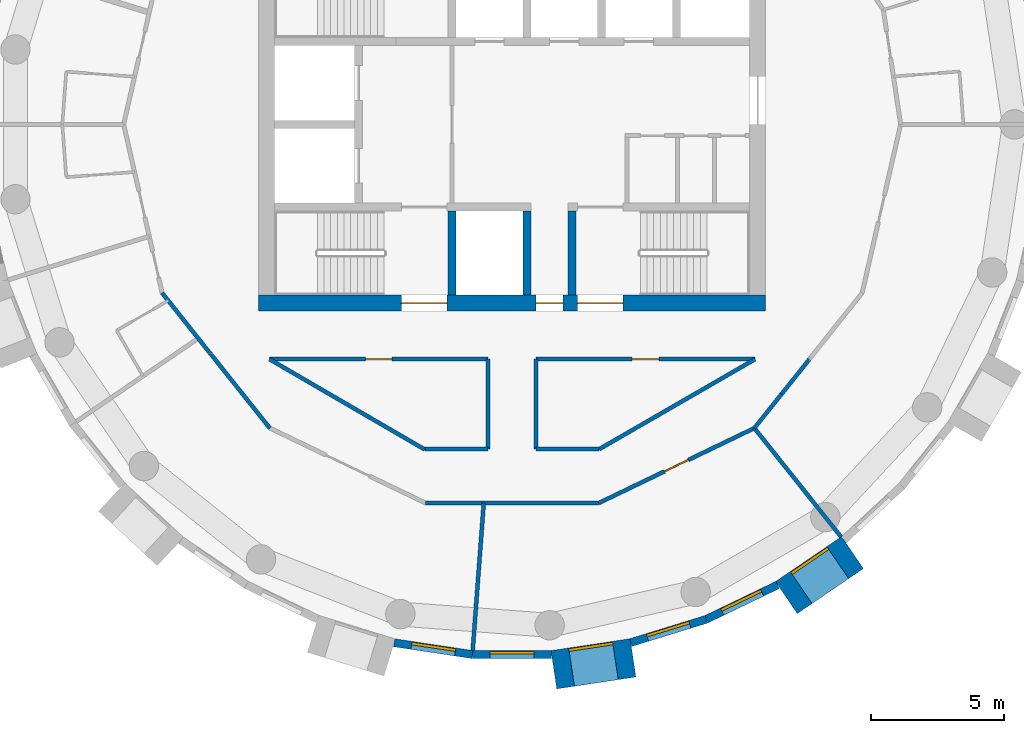
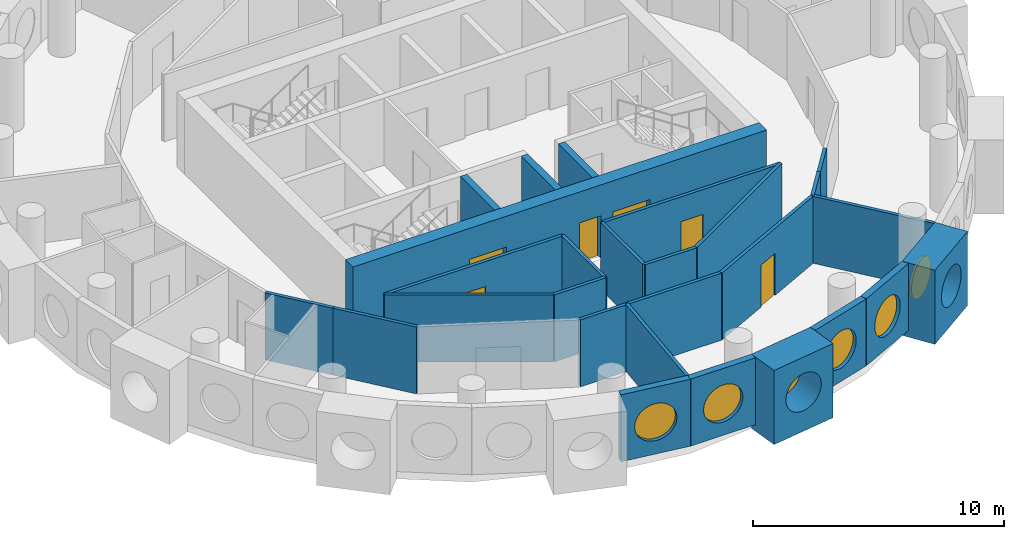
# One storey, part 3 of 11: 26 walls, 6 doors, 6 windows, 12 openings.
"""IFC4 building model written with IfcOpenShell, lengths in metres."""

from ifc_helpers import new_model, si_unit, direction, frame, frame_2d, origin, origin_2d, place, context, subcontext, project, spatial, rectangle, circle, extrude, material, layer, layer_set, type_object, element, fill, save


model = new_model("IFC4")

# Units and contexts
model_context = context("Model", 3, precision=1e-05, world=origin(), true_north=direction((0.0, 1.0)))
body_context = subcontext(model_context, "Body", "Model", "MODEL_VIEW")
ifc_project = project(units=[si_unit("LENGTHUNIT", "METRE"), si_unit("AREAUNIT", "SQUARE_METRE"), si_unit("VOLUMEUNIT", "CUBIC_METRE"), si_unit("PLANEANGLEUNIT", "RADIAN"), si_unit("MASSUNIT", "GRAM", prefix="KILO")], contexts=[model_context])

# Site, building, storey
site_placement = place(None, origin())
site = spatial("IfcSite", under=ifc_project, at=site_placement, CompositionType="ELEMENT")
building_placement = place(site_placement, origin())
building = spatial("IfcBuilding", under=site, at=building_placement, Name="Tracery Tower", CompositionType="ELEMENT")
storey_placement = place(building_placement, frame((0.0, 0.0, 238.199951171875)))
storey = spatial("IfcBuildingStorey", under=building, at=storey_placement, Name="L61", CompositionType="ELEMENT", Elevation=238.199951171875)

# Wall, openings, doors
ifc_material_1 = material(Name="Concrete C40/50", Category="concrete")
ifc_layer_1 = layer(ifc_material_1, 0.60009765625)
ifc_layer_set_1 = layer_set([ifc_layer_1], Name="Core wall 600 C40")
wall_type_1 = type_object("IfcWallType", Name="Core wall 600 C40", PredefinedType="SOLIDWALL", material=ifc_layer_set_1)
wall_1_placement = place(storey_placement, frame((-9.5, -6.699951171875, 0.0), z_axis=(0.0, 0.0, 1.0), x_axis=(1.0, 0.0, 0.0)))
wall_1 = element("IfcWall", 1, at=wall_1_placement, inside=storey, type_object=wall_type_1, Name="L61 outer S", PredefinedType="SOLIDWALL", context=body_context, shape_type="SweptSolid", body=[
    extrude(rectangle(XDim=19.0, YDim=0.60009765625, at=frame_2d((9.5, 0.0))), origin(), (0.0, 0.0, 1.0), 3.60009765625),
])
opening_1_placement = place(wall_1_placement, frame((10.39990234375, 0.0, 0.0)))
opening_1 = element("IfcOpeningElement", 2, at=opening_1_placement, cuts=wall_1, Name="Opening KD16", PredefinedType="OPENING", context=body_context, shape_type="SweptSolid", body=[
    extrude(rectangle(XDim=1.0, YDim=2.10009765625, at=frame_2d((0.5, 1.050048828125))), frame((0.0, 0.300048828125, 0.0), z_axis=(0.0, -1.0, 0.0), x_axis=(1.0, 0.0, 0.0)), (0.0, 0.0, 1.0), 0.60009765625),
])
opening_2_placement = place(wall_1_placement, frame((5.35009765625, 0.0, 0.0)))
opening_2 = element("IfcOpeningElement", 3, at=opening_2_placement, cuts=wall_1, Name="Opening KD3", PredefinedType="OPENING", context=body_context, shape_type="SweptSolid", body=[
    extrude(rectangle(XDim=1.699951171875, YDim=2.10009765625, at=frame_2d((0.85009765625, 1.050048828125))), frame((0.0, 0.300048828125, 0.0), z_axis=(0.0, -1.0, 0.0), x_axis=(1.0, 0.0, 0.0)), (0.0, 0.0, 1.0), 0.60009765625),
])
opening_3_placement = place(wall_1_placement, frame((11.949951171875, 0.0, 0.0)))
opening_3 = element("IfcOpeningElement", 4, at=opening_3_placement, cuts=wall_1, Name="Opening KD3", PredefinedType="OPENING", context=body_context, shape_type="SweptSolid", body=[
    extrude(rectangle(XDim=1.699951171875, YDim=2.10009765625, at=frame_2d((0.85009765625, 1.050048828125))), frame((0.0, 0.300048828125, 0.0), z_axis=(0.0, -1.0, 0.0), x_axis=(1.0, 0.0, 0.0)), (0.0, 0.0, 1.0), 0.60009765625),
])
ifc_material_2 = material(Name="Steel fire door", Category="steel")
door_type_1 = type_object("IfcDoorType", Name="Core exit door 1000", OperationType="NOTDEFINED", PredefinedType="DOOR", material=ifc_material_2)
door_1_placement = place(opening_1_placement, origin())
door_1 = element("IfcDoor", 5, at=door_1_placement, inside=storey, type_object=door_type_1, Name="Core exit door", OperationType="SINGLE_SWING_LEFT", OverallHeight=2.10009765625, OverallWidth=1.0, PredefinedType="DOOR", context=body_context, shape_type="SweptSolid", body=[
    extrude(rectangle(XDim=1.0, YDim=2.10009765625, at=frame_2d((0.5, 1.050048828125))), frame((0.0, 0.02490234375, 0.0), z_axis=(0.0, -1.0, 0.0), x_axis=(1.0, 0.0, 0.0)), (0.0, 0.0, 1.0), 0.050048828125),
])
fill(opening_1, door_1)
ifc_material_3 = material(Name="Steel fire door", Category="steel")
door_type_2 = type_object("IfcDoorType", Name="Core stair door 1700 double", OperationType="NOTDEFINED", PredefinedType="DOOR", material=ifc_material_3)
door_2_placement = place(opening_2_placement, origin())
door_2 = element("IfcDoor", 6, at=door_2_placement, inside=storey, type_object=door_type_2, Name="Stair door ST1 exit", OperationType="DOUBLE_DOOR_SINGLE_SWING", OverallHeight=2.10009765625, OverallWidth=1.699951171875, PredefinedType="DOOR", context=body_context, shape_type="SweptSolid", body=[
    extrude(rectangle(XDim=1.699951171875, YDim=2.10009765625, at=frame_2d((0.85009765625, 1.050048828125))), frame((0.0, 0.02490234375, 0.0), z_axis=(0.0, -1.0, 0.0), x_axis=(1.0, 0.0, 0.0)), (0.0, 0.0, 1.0), 0.050048828125),
])
fill(opening_2, door_2)
door_3_placement = place(opening_3_placement, origin())
door_3 = element("IfcDoor", 7, at=door_3_placement, inside=storey, type_object=door_type_2, Name="Stair door ST2 exit", OperationType="DOUBLE_DOOR_SINGLE_SWING", OverallHeight=2.10009765625, OverallWidth=1.699951171875, PredefinedType="DOOR", context=body_context, shape_type="SweptSolid", body=[
    extrude(rectangle(XDim=1.699951171875, YDim=2.10009765625, at=frame_2d((0.85009765625, 1.050048828125))), frame((0.0, 0.02490234375, 0.0), z_axis=(0.0, -1.0, 0.0), x_axis=(1.0, 0.0, 0.0)), (0.0, 0.0, 1.0), 0.050048828125),
])
fill(opening_3, door_3)

# Wall, opening, window
ifc_material_4 = material(Name="Precast concrete C50/60", Category="concrete")
ifc_layer_2 = layer(ifc_material_4, 1.449951171875)
ifc_layer_set_2 = layer_set([ifc_layer_2], Name="Deep-set bay unit 3000 x 3600, slab edge 350")
wall_type_2 = type_object("IfcWallType", Name="Deep-set bay unit 3000 x 3600, slab edge 350", PredefinedType="ELEMENTEDWALL", material=ifc_layer_set_2)
wall_2_placement = place(storey_placement, frame((1.563232421875, -20.436279296875, -0.349853515625), z_axis=(0.0, 0.0, 1.0), x_axis=(0.988836445254, 0.149004981587, 0.0)))
wall_2 = element("IfcWall", 8, at=wall_2_placement, inside=storey, type_object=wall_type_2, Name="Deep-set bay unit 33 at L61", PredefinedType="ELEMENTEDWALL", context=body_context, shape_type="SweptSolid", body=[
    extrude(rectangle(XDim=3.0, YDim=1.449951171875, at=frame_2d((1.5, 0.0))), origin(), (0.0, 0.0, 1.0), 3.599853515625),
])
opening_4_placement = place(wall_2_placement, frame((1.5, 0.0, 1.89990234375)))
opening_4 = element("IfcOpeningElement", 9, at=opening_4_placement, cuts=wall_2, Name="Opening WN1", PredefinedType="OPENING", context=body_context, shape_type="SweptSolid", body=[
    extrude(circle(Radius=0.9000244140625, at=origin_2d()), frame((0.0, 0.73486328125, 0.0), z_axis=(0.0, -1.0, 0.0), x_axis=(1.0, 0.0, 0.0)), (0.0, 0.0, 1.0), 1.469970703125),
])
ifc_material_5 = material(Name="Aluminium frame with tinted double glazing", Category="aluminium")
window_type = type_object("IfcWindowType", Name="Round window 1800", PartitioningType="SINGLE_PANEL", PredefinedType="WINDOW", material=ifc_material_5)
window_1_placement = place(opening_4_placement, origin())
window_1 = element("IfcWindow", 10, at=window_1_placement, inside=storey, type_object=window_type, Name="Round window 33 at L61", OverallHeight=1.800048828125, OverallWidth=1.800048828125, PartitioningType="SINGLE_PANEL", PredefinedType="WINDOW", context=body_context, shape_type="SweptSolid", body=[
    extrude(circle(Radius=0.9000244140625, at=origin_2d()), frame((0.0, 0.69482421875, 0.0), z_axis=(0.0, -1.0, 0.0), x_axis=(1.0, 0.0, 0.0)), (0.0, 0.0, 1.0), 0.10009765625),
])
fill(opening_4, window_1)

wall_3_placement = place(storey_placement, frame((10.275390625, -17.734130859375, -0.349853515625), z_axis=(0.0, 0.0, 1.0), x_axis=(0.826246281157, 0.563309047392, 0.0)))
wall_3 = element("IfcWall", 11, at=wall_3_placement, inside=storey, type_object=wall_type_2, Name="Deep-set bay unit 36 at L61", PredefinedType="ELEMENTEDWALL", context=body_context, shape_type="SweptSolid", body=[
    extrude(rectangle(XDim=3.0, YDim=1.449951171875, at=frame_2d((1.5, 0.0))), origin(), (0.0, 0.0, 1.0), 3.599853515625),
])
opening_5_placement = place(wall_3_placement, frame((1.5, 0.0, 1.89990234375)))
opening_5 = element("IfcOpeningElement", 12, at=opening_5_placement, cuts=wall_3, Name="Opening WN1", PredefinedType="OPENING", context=body_context, shape_type="SweptSolid", body=[
    extrude(circle(Radius=0.9000244140625, at=origin_2d()), frame((0.0, 0.73486328125, 0.0), z_axis=(0.0, -1.0, 0.0), x_axis=(1.0, 0.0, 0.0)), (0.0, 0.0, 1.0), 1.469970703125),
])
window_2_placement = place(opening_5_placement, origin())
window_2 = element("IfcWindow", 13, at=window_2_placement, inside=storey, type_object=window_type, Name="Round window 36 at L61", OverallHeight=1.800048828125, OverallWidth=1.800048828125, PartitioningType="SINGLE_PANEL", PredefinedType="WINDOW", context=body_context, shape_type="SweptSolid", body=[
    extrude(circle(Radius=0.9000244140625, at=origin_2d()), frame((0.0, 0.69482421875, 0.0), z_axis=(0.0, -1.0, 0.0), x_axis=(1.0, 0.0, 0.0)), (0.0, 0.0, 1.0), 0.10009765625),
])
fill(opening_5, window_2)

ifc_material_6 = material(Name="Precast concrete C50/60", Category="concrete")
ifc_layer_3 = layer(ifc_material_6, 0.300048828125)
ifc_layer_set_3 = layer_set([ifc_layer_3], Name="Facade panel 3000 x 3250")
wall_type_3 = type_object("IfcWallType", Name="Facade panel 3000 x 3250", PredefinedType="SOLIDWALL", material=ifc_layer_set_3)
wall_4_placement = place(storey_placement, frame((-4.41796875, -19.424560546875, 0.0), z_axis=(0.0, 0.0, 1.0), x_axis=(0.988835775663, -0.149009425104, 0.0)))
wall_4 = element("IfcWall", 14, at=wall_4_placement, inside=storey, type_object=wall_type_3, Name="Facade panel 31 at L61", PredefinedType="SOLIDWALL", context=body_context, shape_type="SweptSolid", body=[
    extrude(rectangle(XDim=2.962158203125, YDim=0.300048828125, at=frame_2d((1.48095703125, 0.0))), origin(), (0.0, 0.0, 1.0), 3.25),
])
opening_6_placement = place(wall_4_placement, frame((1.48095703125, 0.0, 1.5498046875)))
opening_6 = element("IfcOpeningElement", 15, at=opening_6_placement, cuts=wall_4, Name="Opening WN1", PredefinedType="OPENING", context=body_context, shape_type="SweptSolid", body=[
    extrude(circle(Radius=0.9000244140625, at=origin_2d()), frame((0.0, 0.159912109375, 0.0), z_axis=(0.0, -1.0, 0.0), x_axis=(1.0, 0.0, 0.0)), (0.0, 0.0, 1.0), 0.320068359375),
])
window_3_placement = place(opening_6_placement, origin())
window_3 = element("IfcWindow", 16, at=window_3_placement, inside=storey, type_object=window_type, Name="Round window 31 at L61", OverallHeight=1.800048828125, OverallWidth=1.800048828125, PartitioningType="SINGLE_PANEL", PredefinedType="WINDOW", context=body_context, shape_type="SweptSolid", body=[
    extrude(circle(Radius=0.9000244140625, at=origin_2d()), frame((0.0, 0.1201171875, 0.0), z_axis=(0.0, -1.0, 0.0), x_axis=(1.0, 0.0, 0.0)), (0.0, 0.0, 1.0), 0.10009765625),
])
fill(opening_6, window_3)

wall_5_placement = place(storey_placement, frame((-1.48876953125, -19.865966796875, 0.0), z_axis=(0.0, 0.0, 1.0), x_axis=(1.0, 0.0, 0.0)))
wall_5 = element("IfcWall", 17, at=wall_5_placement, inside=storey, type_object=wall_type_3, Name="Facade panel 32 at L61", PredefinedType="SOLIDWALL", context=body_context, shape_type="SweptSolid", body=[
    extrude(rectangle(XDim=2.962158203125, YDim=0.300048828125, at=frame_2d((1.48095703125, 0.0))), origin(), (0.0, 0.0, 1.0), 3.25),
])
opening_7_placement = place(wall_5_placement, frame((1.48095703125, 0.0, 1.5498046875)))
opening_7 = element("IfcOpeningElement", 18, at=opening_7_placement, cuts=wall_5, Name="Opening WN1", PredefinedType="OPENING", context=body_context, shape_type="SweptSolid", body=[
    extrude(circle(Radius=0.9000244140625, at=origin_2d()), frame((0.0, 0.159912109375, 0.0), z_axis=(0.0, -1.0, 0.0), x_axis=(1.0, 0.0, 0.0)), (0.0, 0.0, 1.0), 0.320068359375),
])
window_4_placement = place(opening_7_placement, origin())
window_4 = element("IfcWindow", 19, at=window_4_placement, inside=storey, type_object=window_type, Name="Round window 32 at L61", OverallHeight=1.800048828125, OverallWidth=1.800048828125, PartitioningType="SINGLE_PANEL", PredefinedType="WINDOW", context=body_context, shape_type="SweptSolid", body=[
    extrude(circle(Radius=0.9000244140625, at=origin_2d()), frame((0.0, 0.1201171875, 0.0), z_axis=(0.0, -1.0, 0.0), x_axis=(1.0, 0.0, 0.0)), (0.0, 0.0, 1.0), 0.10009765625),
])
fill(opening_7, window_4)

wall_6_placement = place(storey_placement, frame((4.447509765625, -19.417724609375, 0.0), z_axis=(0.0, 0.0, 1.0), x_axis=(0.95558635705, 0.294711238707, 0.0)))
wall_6 = element("IfcWall", 20, at=wall_6_placement, inside=storey, type_object=wall_type_3, Name="Facade panel 34 at L61", PredefinedType="SOLIDWALL", context=body_context, shape_type="SweptSolid", body=[
    extrude(rectangle(XDim=2.96240234375, YDim=0.300048828125, at=frame_2d((1.481201171875, 0.0))), origin(), (0.0, 0.0, 1.0), 3.25),
])
opening_8_placement = place(wall_6_placement, frame((1.48095703125, 0.0, 1.5498046875)))
opening_8 = element("IfcOpeningElement", 21, at=opening_8_placement, cuts=wall_6, Name="Opening WN1", PredefinedType="OPENING", context=body_context, shape_type="SweptSolid", body=[
    extrude(circle(Radius=0.9000244140625, at=origin_2d()), frame((0.0, 0.159912109375, 0.0), z_axis=(0.0, -1.0, 0.0), x_axis=(1.0, 0.0, 0.0)), (0.0, 0.0, 1.0), 0.320068359375),
])
window_5_placement = place(opening_8_placement, origin())
window_5 = element("IfcWindow", 22, at=window_5_placement, inside=storey, type_object=window_type, Name="Round window 34 at L61", OverallHeight=1.800048828125, OverallWidth=1.800048828125, PartitioningType="SINGLE_PANEL", PredefinedType="WINDOW", context=body_context, shape_type="SweptSolid", body=[
    extrude(circle(Radius=0.9000244140625, at=origin_2d()), frame((0.0, 0.1201171875, 0.0), z_axis=(0.0, -1.0, 0.0), x_axis=(1.0, 0.0, 0.0)), (0.0, 0.0, 1.0), 0.10009765625),
])
fill(opening_8, window_5)

wall_7_placement = place(storey_placement, frame((7.2783203125, -18.544677734375, 0.0), z_axis=(0.0, 0.0, 1.0), x_axis=(0.900939615635, 0.433944476838, 0.0)))
wall_7 = element("IfcWall", 23, at=wall_7_placement, inside=storey, type_object=wall_type_3, Name="Facade panel 35 at L61", PredefinedType="SOLIDWALL", context=body_context, shape_type="SweptSolid", body=[
    extrude(rectangle(XDim=2.962158203125, YDim=0.300048828125, at=frame_2d((1.48095703125, 0.0))), origin(), (0.0, 0.0, 1.0), 3.25),
])
opening_9_placement = place(wall_7_placement, frame((1.48095703125, 0.0, 1.5498046875)))
opening_9 = element("IfcOpeningElement", 24, at=opening_9_placement, cuts=wall_7, Name="Opening WN1", PredefinedType="OPENING", context=body_context, shape_type="SweptSolid", body=[
    extrude(circle(Radius=0.9000244140625, at=origin_2d()), frame((0.0, 0.159912109375, 0.0), z_axis=(0.0, -1.0, 0.0), x_axis=(1.0, 0.0, 0.0)), (0.0, 0.0, 1.0), 0.320068359375),
])
window_6_placement = place(opening_9_placement, origin())
window_6 = element("IfcWindow", 25, at=window_6_placement, inside=storey, type_object=window_type, Name="Round window 35 at L61", OverallHeight=1.800048828125, OverallWidth=1.800048828125, PartitioningType="SINGLE_PANEL", PredefinedType="WINDOW", context=body_context, shape_type="SweptSolid", body=[
    extrude(circle(Radius=0.9000244140625, at=origin_2d()), frame((0.0, 0.1201171875, 0.0), z_axis=(0.0, -1.0, 0.0), x_axis=(1.0, 0.0, 0.0)), (0.0, 0.0, 1.0), 0.10009765625),
])
fill(opening_9, window_6)

# Walls
ifc_material_7 = material(Name="Plasterboard on steel studs", Category="steel")
ifc_layer_4 = layer(ifc_material_7, 0.14990234375)
ifc_layer_set_4 = layer_set([ifc_layer_4], Name="Partition 150 acoustic unit wall")
wall_type_4 = type_object("IfcWallType", Name="Partition 150 acoustic unit wall", PredefinedType="PARTITIONING", material=ifc_layer_set_4)
wall_8_placement = place(storey_placement, frame((-1.47802734375, -19.716064453125, 0.0), z_axis=(0.0, 0.0, 1.0), x_axis=(0.074745027699, 0.997202677912, 0.0)))
element("IfcWall", 26, at=wall_8_placement, inside=storey, type_object=wall_type_4, Name="Unit wall RC1-069", PredefinedType="PARTITIONING", context=body_context, shape_type="SweptSolid", body=[
    extrude(rectangle(XDim=5.53955078125, YDim=0.14990234375, at=frame_2d((2.769775390625, 0.0))), origin(), (0.0, 0.0, 1.0), 3.25),
])
wall_9_placement = place(storey_placement, frame((9.075927734375, -11.381103515625, 0.0), z_axis=(0.0, 0.0, 1.0), x_axis=(0.623460949534, -0.781854490558, 0.0)))
element("IfcWall", 27, at=wall_9_placement, inside=storey, type_object=wall_type_4, Name="Unit wall RC1-070", PredefinedType="PARTITIONING", context=body_context, shape_type="SweptSolid", body=[
    extrude(rectangle(XDim=5.21435546875, YDim=0.14990234375, at=frame_2d((2.607177734375, 0.0))), origin(), (0.0, 0.0, 1.0), 3.25),
])

# Wall, opening, door
ifc_material_8 = material(Name="Plasterboard on steel studs", Category="steel")
ifc_layer_5 = layer(ifc_material_8, 0.14990234375)
ifc_layer_set_5 = layer_set([ifc_layer_5], Name="Partition 150 corridor wall")
wall_type_5 = type_object("IfcWallType", Name="Partition 150 corridor wall", PredefinedType="PARTITIONING", material=ifc_layer_set_5)
wall_10_placement = place(storey_placement, frame((-9.092041015625, -8.800048828125, 0.0), z_axis=(0.0, 0.0, 1.0), x_axis=(1.0, 0.0, 0.0)))
wall_10 = element("IfcWall", 28, at=wall_10_placement, inside=storey, type_object=wall_type_5, Name="Corridor wall RC1-011", PredefinedType="PARTITIONING", context=body_context, shape_type="SweptSolid", body=[
    extrude(rectangle(XDim=8.196044921875, YDim=0.14990234375, at=frame_2d((4.09814453125, 0.0))), origin(), (0.0, 0.0, 1.0), 3.25),
])
opening_10_placement = place(wall_10_placement, frame((3.597900390625, 0.0, 0.0)))
opening_10 = element("IfcOpeningElement", 29, at=opening_10_placement, cuts=wall_10, Name="Opening RC1-03", PredefinedType="OPENING", context=body_context, shape_type="SweptSolid", body=[
    extrude(rectangle(XDim=1.0, YDim=2.0400390625, at=frame_2d((0.5, 1.02001953125))), frame((0.0, 0.074951171875, 0.0), z_axis=(0.0, -1.0, 0.0), x_axis=(1.0, 0.0, 0.0)), (0.0, 0.0, 1.0), 0.14990234375),
])
ifc_material_9 = material(Name="Timber door leaf", Category="wood")
door_type_3 = type_object("IfcDoorType", Name="Door communal room 1000", OperationType="NOTDEFINED", PredefinedType="DOOR", material=ifc_material_9)
door_4_placement = place(opening_10_placement, origin())
door_4 = element("IfcDoor", 30, at=door_4_placement, inside=storey, type_object=door_type_3, Name="Communal room door RC1-03", OperationType="SINGLE_SWING_RIGHT", OverallHeight=2.0400390625, OverallWidth=1.0, PredefinedType="DOOR", context=body_context, shape_type="SweptSolid", body=[
    extrude(rectangle(XDim=1.0, YDim=2.0400390625, at=frame_2d((0.5, 1.02001953125))), frame((0.0, 0.02490234375, 0.0), z_axis=(0.0, -1.0, 0.0), x_axis=(1.0, 0.0, 0.0)), (0.0, 0.0, 1.0), 0.050048828125),
])
fill(opening_10, door_4)

# Wall
wall_11_placement = place(storey_placement, frame((-9.092041015625, -8.800048828125, 0.0), z_axis=(0.0, 0.0, 1.0), x_axis=(0.864470922103, -0.502682827277, 0.0)))
element("IfcWall", 31, at=wall_11_placement, inside=storey, type_object=wall_type_5, Name="Corridor wall RC1-012", PredefinedType="PARTITIONING", context=body_context, shape_type="SweptSolid", body=[
    extrude(rectangle(XDim=6.7353515625, YDim=0.14990234375, at=frame_2d((3.36767578125, 0.0))), origin(), (0.0, 0.0, 1.0), 3.25),
])

# Wall, opening, door
wall_12_placement = place(storey_placement, frame((0.89599609375, -8.800048828125, 0.0), z_axis=(0.0, 0.0, 1.0), x_axis=(1.0, 0.0, 0.0)))
wall_12 = element("IfcWall", 32, at=wall_12_placement, inside=storey, type_object=wall_type_5, Name="Corridor wall RC1-014", PredefinedType="PARTITIONING", context=body_context, shape_type="SweptSolid", body=[
    extrude(rectangle(XDim=8.20458984375, YDim=0.14990234375, at=frame_2d((4.102294921875, 0.0))), origin(), (0.0, 0.0, 1.0), 3.25),
])
opening_11_placement = place(wall_12_placement, frame((3.597900390625, 0.0, 0.0)))
opening_11 = element("IfcOpeningElement", 33, at=opening_11_placement, cuts=wall_12, Name="Opening RC1-04", PredefinedType="OPENING", context=body_context, shape_type="SweptSolid", body=[
    extrude(rectangle(XDim=1.0, YDim=2.0400390625, at=frame_2d((0.5, 1.02001953125))), frame((0.0, 0.074951171875, 0.0), z_axis=(0.0, -1.0, 0.0), x_axis=(1.0, 0.0, 0.0)), (0.0, 0.0, 1.0), 0.14990234375),
])
door_5_placement = place(opening_11_placement, origin())
door_5 = element("IfcDoor", 34, at=door_5_placement, inside=storey, type_object=door_type_3, Name="Communal room door RC1-04", OperationType="SINGLE_SWING_RIGHT", OverallHeight=2.0400390625, OverallWidth=1.0, PredefinedType="DOOR", context=body_context, shape_type="SweptSolid", body=[
    extrude(rectangle(XDim=1.0, YDim=2.0400390625, at=frame_2d((0.5, 1.02001953125))), frame((0.0, 0.02490234375, 0.0), z_axis=(0.0, -1.0, 0.0), x_axis=(1.0, 0.0, 0.0)), (0.0, 0.0, 1.0), 0.050048828125),
])
fill(opening_11, door_5)

# Walls
wall_13_placement = place(storey_placement, frame((-11.300048828125, -8.59619140625, 0.0), z_axis=(0.0, 0.0, 1.0), x_axis=(0.623165080354, -0.782090328944, 0.0)))
element("IfcWall", 35, at=wall_13_placement, inside=storey, type_object=wall_type_5, Name="Corridor wall RC1-015", PredefinedType="PARTITIONING", context=body_context, shape_type="SweptSolid", body=[
    extrude(rectangle(XDim=3.56396484375, YDim=0.14990234375, at=frame_2d((1.781982421875, 0.0))), origin(), (0.0, 0.0, 1.0), 3.25),
])
wall_14_placement = place(storey_placement, frame((10.10107421875, -10.10107421875, 0.0), z_axis=(0.0, 0.0, 1.0), x_axis=(0.623098344652, 0.782143498913, 0.0)))
element("IfcWall", 36, at=wall_14_placement, inside=storey, type_object=wall_type_5, Name="Corridor wall RC1-020", PredefinedType="PARTITIONING", context=body_context, shape_type="SweptSolid", body=[
    extrude(rectangle(XDim=1.660888671875, YDim=0.14990234375, at=frame_2d((0.83056640625, 0.0))), origin(), (0.0, 0.0, 1.0), 3.25),
])
wall_15_placement = place(storey_placement, frame((-13.114990234375, -6.31591796875, 0.0), z_axis=(0.0, 0.0, 1.0), x_axis=(0.622042479172, -0.782983495423, 0.0)))
element("IfcWall", 37, at=wall_15_placement, inside=storey, type_object=wall_type_5, Name="Corridor wall RC1-036", PredefinedType="PARTITIONING", context=body_context, shape_type="SweptSolid", body=[
    extrude(rectangle(XDim=2.9111328125, YDim=0.14990234375, at=frame_2d((1.45556640625, 0.0))), origin(), (0.0, 0.0, 1.0), 3.25),
])
wall_16_placement = place(storey_placement, frame((-3.260986328125, -12.1708984375, 0.0), z_axis=(0.0, 0.0, 1.0), x_axis=(1.0, 0.0, 0.0)))
element("IfcWall", 38, at=wall_16_placement, inside=storey, type_object=wall_type_5, Name="Corridor wall RC1-037", PredefinedType="PARTITIONING", context=body_context, shape_type="SweptSolid", body=[
    extrude(rectangle(XDim=2.361083984375, YDim=0.14990234375, at=frame_2d((1.1806640625, 0.0))), origin(), (0.0, 0.0, 1.0), 3.25),
])
for number, where, z_axis, x_axis, name in (
    (39, (-0.89990234375, -12.1708984375, 0.0), (0.0, 0.0, 1.0), (0.0, 1.0, 0.0), "Corridor wall RC1-038"),
    (40, (0.89990234375, -12.1708984375, 0.0), (0.0, 0.0, 1.0), (0.0, 1.0, 0.0), "Corridor wall RC1-039"),
):
    element("IfcWall", number, at=place(storey_placement, frame(where, z_axis=z_axis, x_axis=x_axis)), inside=storey, type_object=wall_type_5, Name=name, PredefinedType="PARTITIONING", context=body_context, shape_type="SweptSolid", body=[
        extrude(rectangle(XDim=3.370849609375, YDim=0.14990234375, at=frame_2d((1.685546875, 0.0))), origin(), (0.0, 0.0, 1.0), 3.25),
    ])
wall_17_placement = place(storey_placement, frame((0.89990234375, -12.1708984375, 0.0), z_axis=(0.0, 0.0, 1.0), x_axis=(1.0, 0.0, 0.0)))
element("IfcWall", 41, at=wall_17_placement, inside=storey, type_object=wall_type_5, Name="Corridor wall RC1-040", PredefinedType="PARTITIONING", context=body_context, shape_type="SweptSolid", body=[
    extrude(rectangle(XDim=2.361083984375, YDim=0.14990234375, at=frame_2d((1.1806640625, 0.0))), origin(), (0.0, 0.0, 1.0), 3.25),
])
wall_18_placement = place(storey_placement, frame((3.260986328125, -12.1708984375, 0.0), z_axis=(0.0, 0.0, 1.0), x_axis=(0.866066809554, 0.499928276245, 0.0)))
element("IfcWall", 42, at=wall_18_placement, inside=storey, type_object=wall_type_5, Name="Corridor wall RC1-041", PredefinedType="PARTITIONING", context=body_context, shape_type="SweptSolid", body=[
    extrude(rectangle(XDim=6.74267578125, YDim=0.14990234375, at=frame_2d((3.371337890625, 0.0))), origin(), (0.0, 0.0, 1.0), 3.25),
])
wall_19_placement = place(storey_placement, frame((-3.239013671875, -14.19189453125, 0.0), z_axis=(0.0, 0.0, 1.0), x_axis=(1.0, 0.0, 0.0)))
element("IfcWall", 43, at=wall_19_placement, inside=storey, type_object=wall_type_5, Name="Corridor wall RC1-042", PredefinedType="PARTITIONING", context=body_context, shape_type="SweptSolid", body=[
    extrude(rectangle(XDim=6.47802734375, YDim=0.14990234375, at=frame_2d((3.239013671875, 0.0))), origin(), (0.0, 0.0, 1.0), 3.25),
])

# Wall, opening, door
wall_20_placement = place(storey_placement, frame((3.239013671875, -14.19189453125, 0.0), z_axis=(0.0, 0.0, 1.0), x_axis=(0.900976027191, 0.433868872388, 0.0)))
wall_20 = element("IfcWall", 44, at=wall_20_placement, inside=storey, type_object=wall_type_5, Name="Corridor wall RC1-044", PredefinedType="PARTITIONING", context=body_context, shape_type="SweptSolid", body=[
    extrude(rectangle(XDim=6.478515625, YDim=0.14990234375, at=frame_2d((3.2392578125, 0.0))), origin(), (0.0, 0.0, 1.0), 3.25),
])
opening_12_placement = place(wall_20_placement, frame((2.739501953125, 0.0, 0.0)))
opening_12 = element("IfcOpeningElement", 45, at=opening_12_placement, cuts=wall_20, Name="Opening RC1-21", PredefinedType="OPENING", context=body_context, shape_type="SweptSolid", body=[
    extrude(rectangle(XDim=1.0, YDim=2.0400390625, at=frame_2d((0.5, 1.02001953125))), frame((0.0, 0.074951171875, 0.0), z_axis=(0.0, -1.0, 0.0), x_axis=(1.0, 0.0, 0.0)), (0.0, 0.0, 1.0), 0.14990234375),
])
door_6_placement = place(opening_12_placement, origin())
door_6 = element("IfcDoor", 46, at=door_6_placement, inside=storey, type_object=door_type_3, Name="Communal room door RC1-21", OperationType="SINGLE_SWING_LEFT", OverallHeight=2.0400390625, OverallWidth=1.0, PredefinedType="DOOR", context=body_context, shape_type="SweptSolid", body=[
    extrude(rectangle(XDim=1.0, YDim=2.0400390625, at=frame_2d((0.5, 1.02001953125))), frame((0.0, 0.02490234375, 0.0), z_axis=(0.0, -1.0, 0.0), x_axis=(1.0, 0.0, 0.0)), (0.0, 0.0, 1.0), 0.050048828125),
])
fill(opening_12, door_6)

# Walls
wall_21_placement = place(storey_placement, frame((9.075927734375, -11.381103515625, 0.0), z_axis=(0.0, 0.0, 1.0), x_axis=(0.623805208652, 0.781579849829, 0.0)))
element("IfcWall", 47, at=wall_21_placement, inside=storey, type_object=wall_type_5, Name="Corridor wall RC1-045", PredefinedType="PARTITIONING", context=body_context, shape_type="SweptSolid", body=[
    extrude(rectangle(XDim=1.64013671875, YDim=0.14990234375, at=frame_2d((0.820068359375, 0.0))), origin(), (0.0, 0.0, 1.0), 3.25),
])
ifc_material_10 = material(Name="Concrete C40/50", Category="concrete")
ifc_layer_6 = layer(ifc_material_10, 0.300048828125)
ifc_layer_set_6 = layer_set([ifc_layer_6], Name="Shaft wall 300 C40")
wall_type_6 = type_object("IfcWallType", Name="Shaft wall 300 C40", PredefinedType="SOLIDWALL", material=ifc_layer_set_6)
wall_22_placement = place(storey_placement, frame((0.550048828125, -6.39990234375, 0.0), z_axis=(0.0, 0.0, 1.0), x_axis=(0.0, 1.0, 0.0)))
element("IfcWall", 48, at=wall_22_placement, inside=storey, type_object=wall_type_6, Name="L61 OB2 E", PredefinedType="SOLIDWALL", context=body_context, shape_type="SweptSolid", body=[
    extrude(rectangle(XDim=3.14990234375, YDim=0.300048828125, at=frame_2d((1.574951171875, 0.0))), origin(), (0.0, 0.0, 1.0), 3.25),
])
ifc_material_11 = material(Name="Concrete C40/50", Category="concrete")
ifc_layer_7 = layer(ifc_material_11, 0.300048828125)
ifc_layer_set_7 = layer_set([ifc_layer_7], Name="Stair wall 300 C40")
wall_type_7 = type_object("IfcWallType", Name="Stair wall 300 C40", PredefinedType="SOLIDWALL", material=ifc_layer_set_7)
for number, where, z_axis, x_axis, name in (
    (49, (-2.25, -6.39990234375, 0.0), (0.0, 0.0, 1.0), (0.0, 1.0, 0.0), "L61 ST1 E"),
    (50, (2.25, -6.39990234375, 0.0), (0.0, 0.0, 1.0), (0.0, 1.0, 0.0), "L61 ST2 W"),
):
    element("IfcWall", number, at=place(storey_placement, frame(where, z_axis=z_axis, x_axis=x_axis)), inside=storey, type_object=wall_type_7, Name=name, PredefinedType="SOLIDWALL", context=body_context, shape_type="SweptSolid", body=[
        extrude(rectangle(XDim=3.14990234375, YDim=0.300048828125, at=frame_2d((1.574951171875, 0.0))), origin(), (0.0, 0.0, 1.0), 3.25),
    ])

save(model, "model.ifc")
